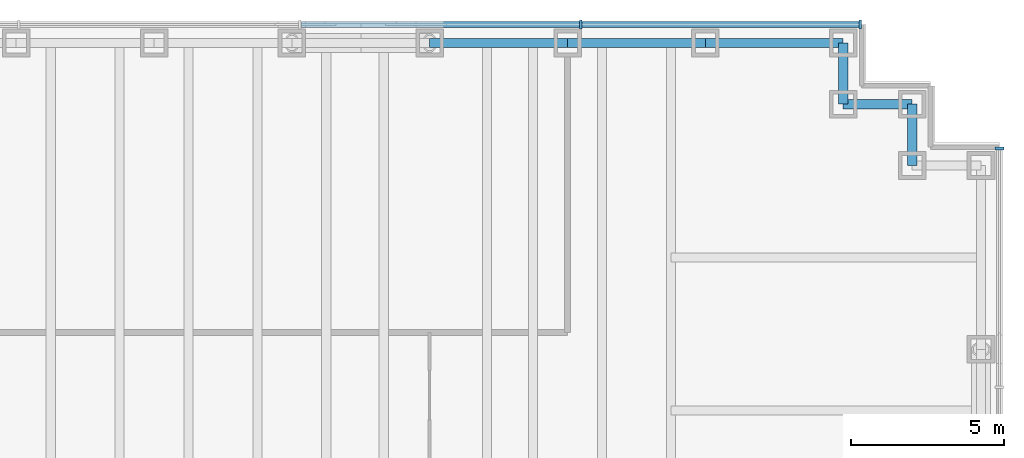
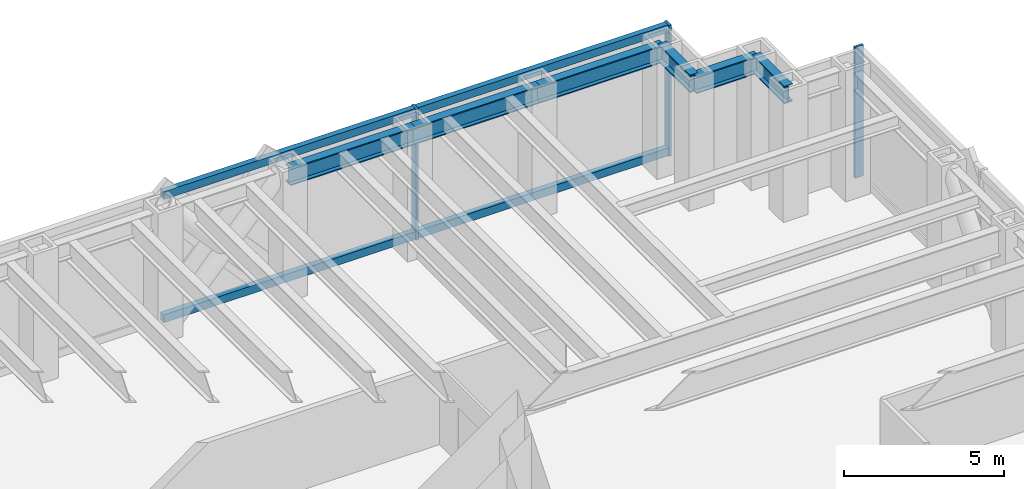
# One storey, part 10 of 17: 7 members, 6 beams, 2 elements without a shape of their own.
"""IFC4 building model written with IfcOpenShell, lengths in metres."""

from ifc_helpers import new_model, si_unit, direction, frame, origin, origin_2d, place, context, subcontext, project, spatial, rectangle, i_section, extrude, material, material_profile, profile_set, type_object, element, aggregate, save


model = new_model("IFC4")

# Units and contexts
model_context = context("Model", 3, precision=1e-05, world=origin(), true_north=direction((0.0, 1.0)))
body_context = subcontext(model_context, "Body", "Model", "MODEL_VIEW")
ifc_project = project(units=[si_unit("LENGTHUNIT", "METRE"), si_unit("AREAUNIT", "SQUARE_METRE"), si_unit("VOLUMEUNIT", "CUBIC_METRE"), si_unit("PLANEANGLEUNIT", "RADIAN"), si_unit("MASSUNIT", "GRAM", prefix="KILO")], contexts=[model_context])

# Site, building, storey
site_placement = place(None, origin())
site = spatial("IfcSite", under=ifc_project, at=site_placement, CompositionType="ELEMENT")
building_placement = place(site_placement, origin())
building = spatial("IfcBuilding", under=site, at=building_placement, Name="Rheinbord Bourse Tower", CompositionType="ELEMENT")
storey_placement = place(building_placement, frame((0.0, 0.0, 13.0)))
storey = spatial("IfcBuildingStorey", under=building, at=storey_placement, Name="L02", CompositionType="ELEMENT", Elevation=13.0)

# Curtain wall, member
ifc_material_1 = material(Name="Dark glass and black aluminium", Category="aluminium")
curtain_wall_type = type_object("IfcCurtainWallType", Name="CW4 DARK GLASS CURTAIN WALL", PredefinedType="USERDEFINED", material=ifc_material_1)
curtain_wall_1_placement = place(storey_placement, origin())
curtain_wall_1 = element("IfcCurtainWall", 1, at=curtain_wall_1_placement, inside=storey, type_object=curtain_wall_type, Name="Curtain wall CW4 E L02", ObjectType="UNITISED CURTAIN WALL", PredefinedType="USERDEFINED")
ifc_material_2 = material(Name="Black anodised aluminium", Category="aluminium")
ifc_material_profile_1 = material_profile(ifc_material_2, rectangle(XDim=0.300048828125, YDim=0.090087890625, at=origin_2d()), Name="CW4 MULLION 90x300")
ifc_profile_set_1 = profile_set([ifc_material_profile_1], Name="Black anodised aluminium")
member_type_1 = type_object("IfcMemberType", Name="CW4 BLACK MULLION", PredefinedType="MULLION", material=ifc_profile_set_1)
member_1_placement = place(storey_placement, frame((72.60009765625, 42.554931640625, 0.0), z_axis=(0.0, 0.0, 1.0), x_axis=(-1.0, 0.0, 0.0)))
member_1 = element("IfcMember", 2, at=member_1_placement, type_object=member_type_1, Name="CW4 mullion 6", PredefinedType="MULLION", context=body_context, shape_type="SweptSolid", body=[
    extrude(rectangle(XDim=0.300048828125, YDim=0.090087890625, at=origin_2d()), origin(), (0.0, 0.0, 1.0), 5.0),
])
aggregate(curtain_wall_1, [member_1])

# Curtain wall, members
curtain_wall_2_placement = place(storey_placement, origin())
curtain_wall_2 = element("IfcCurtainWall", 3, at=curtain_wall_2_placement, inside=storey, type_object=curtain_wall_type, Name="Curtain wall CW4 N L02", ObjectType="UNITISED CURTAIN WALL", PredefinedType="USERDEFINED")
member_2_placement = place(storey_placement, frame((68.054931640625, 46.60009765625, 0.0), z_axis=(0.0, 0.0, 1.0), x_axis=(0.0, -1.0, 0.0)))
member_2 = element("IfcMember", 4, at=member_2_placement, type_object=member_type_1, Name="CW4 mullion 1", PredefinedType="MULLION", context=body_context, shape_type="SweptSolid", body=[
    extrude(rectangle(XDim=0.300048828125, YDim=0.090087890625, at=origin_2d()), origin(), (0.0, 0.0, 1.0), 5.0),
])
member_3_placement = place(storey_placement, frame((58.928466796875, 46.60009765625, 0.0), z_axis=(0.0, 0.0, 1.0), x_axis=(0.0, -1.0, 0.0)))
member_3 = element("IfcMember", 5, at=member_3_placement, type_object=member_type_1, Name="CW4 mullion 2", PredefinedType="MULLION", context=body_context, shape_type="SweptSolid", body=[
    extrude(rectangle(XDim=0.300048828125, YDim=0.090087890625, at=origin_2d()), origin(), (0.0, 0.0, 1.0), 5.0),
])
ifc_material_3 = material(Name="Black anodised aluminium", Category="aluminium")
ifc_material_profile_2 = material_profile(ifc_material_3, rectangle(XDim=0.199951171875, YDim=0.300048828125, at=origin_2d()), Name="CW4 TRANSOM 300x200")
ifc_profile_set_2 = profile_set([ifc_material_profile_2], Name="Black anodised aluminium")
member_type_2 = type_object("IfcMemberType", Name="CW4 BLACK TRANSOM", PredefinedType="USERDEFINED", material=ifc_profile_set_2)
member_4_placement = place(storey_placement, frame((68.010009765625, 46.60009765625, 0.14990234375), z_axis=(-1.0, 0.0, 0.0), x_axis=(0.0, -1.0, 0.0)))
member_4 = element("IfcMember", 6, at=member_4_placement, type_object=member_type_2, Name="CW4 transom 1.1", ObjectType="TRANSOM", PredefinedType="USERDEFINED", context=body_context, shape_type="SweptSolid", body=[
    extrude(rectangle(XDim=0.199951171875, YDim=0.300048828125, at=origin_2d()), origin(), (0.0, 0.0, 1.0), 9.036376953125),
])
member_5_placement = place(storey_placement, frame((68.010009765625, 46.60009765625, 4.85009765625), z_axis=(-1.0, 0.0, 0.0), x_axis=(0.0, -1.0, 0.0)))
member_5 = element("IfcMember", 7, at=member_5_placement, type_object=member_type_2, Name="CW4 transom 1.2", ObjectType="TRANSOM", PredefinedType="USERDEFINED", context=body_context, shape_type="SweptSolid", body=[
    extrude(rectangle(XDim=0.199951171875, YDim=0.300048828125, at=origin_2d()), origin(), (0.0, 0.0, 1.0), 9.036376953125),
])
member_6_placement = place(storey_placement, frame((58.883544921875, 46.60009765625, 0.14990234375), z_axis=(-1.0, 0.0, 0.0), x_axis=(0.0, -1.0, 0.0)))
member_6 = element("IfcMember", 8, at=member_6_placement, type_object=member_type_2, Name="CW4 transom 2.1", ObjectType="TRANSOM", PredefinedType="USERDEFINED", context=body_context, shape_type="SweptSolid", body=[
    extrude(rectangle(XDim=0.199951171875, YDim=0.300048828125, at=origin_2d()), origin(), (0.0, 0.0, 1.0), 9.081298828125),
])
member_7_placement = place(storey_placement, frame((58.883544921875, 46.60009765625, 4.85009765625), z_axis=(-1.0, 0.0, 0.0), x_axis=(0.0, -1.0, 0.0)))
member_7 = element("IfcMember", 9, at=member_7_placement, type_object=member_type_2, Name="CW4 transom 2.2", ObjectType="TRANSOM", PredefinedType="USERDEFINED", context=body_context, shape_type="SweptSolid", body=[
    extrude(rectangle(XDim=0.199951171875, YDim=0.300048828125, at=origin_2d()), origin(), (0.0, 0.0, 1.0), 9.081298828125),
])
aggregate(curtain_wall_2, [member_2, member_3, member_4, member_5, member_6, member_7])

# Beams
ifc_material_4 = material(Name="Steel S460", Category="steel")
ifc_material_profile_3 = material_profile(ifc_material_4, i_section(OverallWidth=0.304931640625, OverallDepth=0.66796875, WebThickness=0.02099609375, FlangeThickness=0.0400390625, at=origin_2d()), Name="HEM 650")
ifc_profile_set_3 = profile_set([ifc_material_profile_3], Name="Steel S460")
beam_type = type_object("IfcBeamType", Name="SPANDREL HEM 650", PredefinedType="SPANDREL", material=ifc_profile_set_3)
beam_1_placement = place(storey_placement, frame((69.75, 42.0, 4.486083984375), z_axis=(0.0, 1.0, 0.0), x_axis=(-1.0, 0.0, 0.0)))
element("IfcBeam", 10, at=beam_1_placement, inside=storey, type_object=beam_type, Name="Spandrel NE-B-NE-C under L03", PredefinedType="SPANDREL", context=body_context, shape_type="SweptSolid", body=[
    extrude(i_section(OverallWidth=0.304931640625, OverallDepth=0.66796875, WebThickness=0.02099609375, FlangeThickness=0.0400390625, at=origin_2d()), origin(), (0.0, 0.0, 1.0), 2.0),
])
beam_2_placement = place(storey_placement, frame((69.75, 44.0, 4.486083984375), z_axis=(-1.0, 0.0, 0.0), x_axis=(0.0, -1.0, 0.0)))
element("IfcBeam", 11, at=beam_2_placement, inside=storey, type_object=beam_type, Name="Spandrel NE-C-NE-D under L03", PredefinedType="SPANDREL", context=body_context, shape_type="SweptSolid", body=[
    extrude(i_section(OverallWidth=0.304931640625, OverallDepth=0.66796875, WebThickness=0.02099609375, FlangeThickness=0.0400390625, at=origin_2d()), origin(), (0.0, 0.0, 1.0), 2.25),
])
beam_3_placement = place(storey_placement, frame((67.5, 44.0, 4.486083984375), z_axis=(0.0, 1.0, 0.0), x_axis=(-1.0, 0.0, 0.0)))
element("IfcBeam", 12, at=beam_3_placement, inside=storey, type_object=beam_type, Name="Spandrel NE-D-NE-E under L03", PredefinedType="SPANDREL", context=body_context, shape_type="SweptSolid", body=[
    extrude(i_section(OverallWidth=0.304931640625, OverallDepth=0.66796875, WebThickness=0.02099609375, FlangeThickness=0.0400390625, at=origin_2d()), origin(), (0.0, 0.0, 1.0), 2.0),
])
for number, where, z_axis, x_axis, name in (
    (13, (67.5, 46.0, 4.486083984375), (-1.0, 0.0, 0.0), (0.0, -1.0, 0.0), "Spandrel NE-E-N-63 under L03"),
    (14, (63.0, 46.0, 4.486083984375), (-1.0, 0.0, 0.0), (0.0, -1.0, 0.0), "Spandrel N-63-N-58.5 under L03"),
    (15, (58.5, 46.0, 4.486083984375), (-1.0, 0.0, 0.0), (0.0, -1.0, 0.0), "Spandrel N-58.5-N-54 under L03"),
):
    element("IfcBeam", number, at=place(storey_placement, frame(where, z_axis=z_axis, x_axis=x_axis)), inside=storey, type_object=beam_type, Name=name, PredefinedType="SPANDREL", context=body_context, shape_type="SweptSolid", body=[
        extrude(i_section(OverallWidth=0.304931640625, OverallDepth=0.66796875, WebThickness=0.02099609375, FlangeThickness=0.0400390625, at=origin_2d()), origin(), (0.0, 0.0, 1.0), 4.5),
    ])

save(model, "model.ifc")
